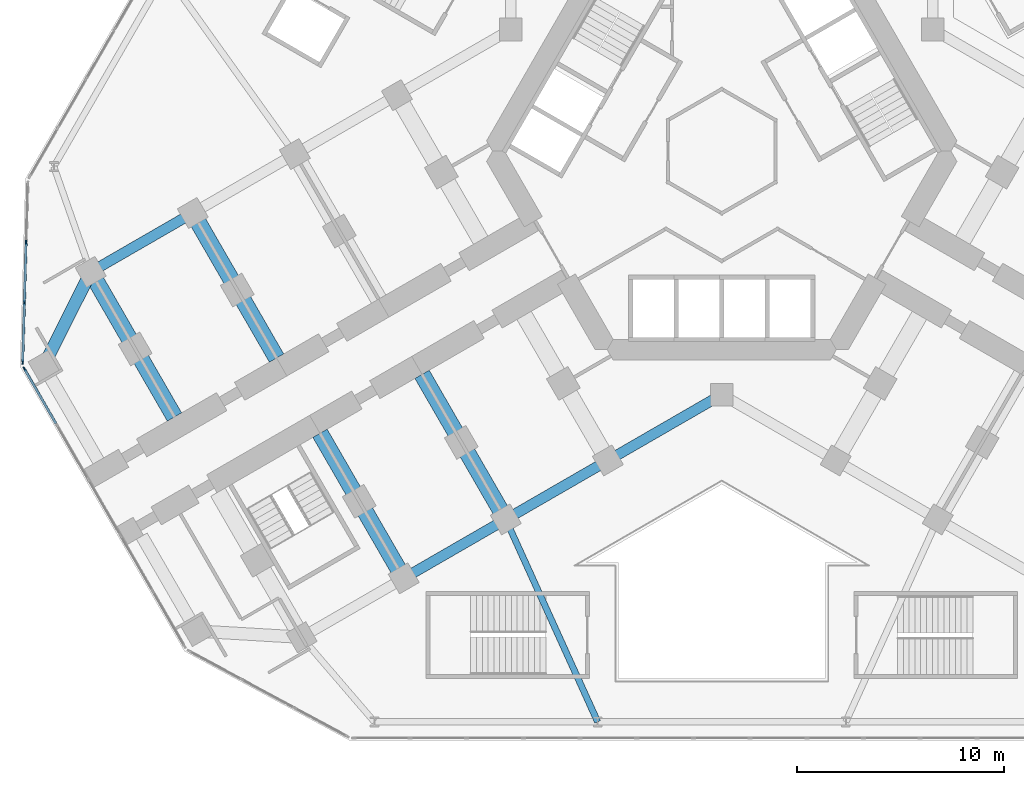
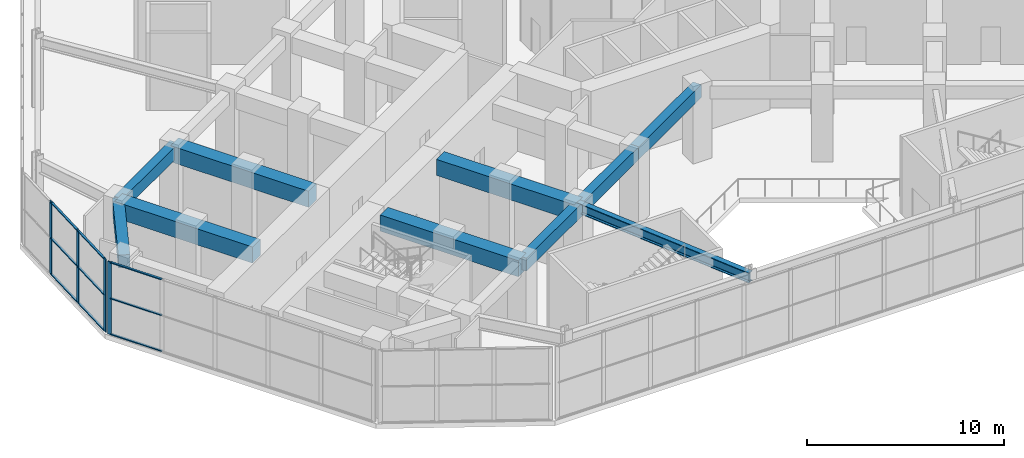
# One storey, part 3 of 22: 13 members, 10 beams, 2 elements without a shape of their own.
"""IFC4 building model written with IfcOpenShell, lengths in metres."""

import ifcopenshell
import ifcopenshell.guid

model = None  # the IFC model being written
_history = None  # IfcOwnerHistory: only IFC2X3 demands one
_inside = {}  # id of a spatial element -> (the spatial element, [elements in it])
_under = {}  # id of a project, library or spatial element -> (it, [spatial elements below it])
_declared = {}  # id of a project -> (the project, [libraries it declares])
_typed = {}  # id of a type object -> (the type object, [elements of that type])
_made_of = {}  # id of a material, layer set ... -> (it, [elements and type objects made of it])


def new_model(schema):
    """Start an empty IFC model of exactly this schema.

    Asked for "IFC4X3", IfcOpenShell would pick the latest addendum, in which some entities
    have other attributes; the version numbers below select the first issue.
    IFC2X3 requires an IfcOwnerHistory on every rooted entity: one is made here for all.
    """
    global model, _history
    if schema == "IFC4X3":
        model = ifcopenshell.file(schema_version=(4, 3, 0, 0))
    else:
        model = ifcopenshell.file(schema=schema)
    _inside.clear()
    _under.clear()
    _declared.clear()
    _typed.clear()
    _made_of.clear()
    _history = None
    if model.schema == "IFC2X3":
        org = make("IfcOrganization", Name="unknown")
        user = make(
            "IfcPersonAndOrganization",
            ThePerson=make("IfcPerson", FamilyName="unknown"),
            TheOrganization=org,
        )
        app = make(
            "IfcApplication",
            ApplicationDeveloper=org,
            Version="unknown",
            ApplicationFullName="unknown",
            ApplicationIdentifier="unknown",
        )
        _history = make(
            "IfcOwnerHistory",
            OwningUser=user,
            OwningApplication=app,
            ChangeAction="ADDED",
            CreationDate=0,
        )
    return model


def make(cls, **values):
    """One entity of the class cls with the attributes given. An attribute that is None is left unset."""
    return model.create_entity(
        cls, **{name: value for name, value in values.items() if value is not None}
    )


def rooted(cls, **values):
    """An entity with a GlobalId (a new one), such as an element, a storey or a relation."""
    return make(cls, GlobalId=ifcopenshell.guid.new(), OwnerHistory=_history, **values)


def si_unit(unit_type, name, prefix=None):
    """IfcSIUnit, for example si_unit("LENGTHUNIT", "METRE", prefix="MILLI")."""
    return make("IfcSIUnit", UnitType=unit_type, Prefix=prefix, Name=name)


def assignment(units):
    """IfcUnitAssignment: the units of a project."""
    return None if units is None else make("IfcUnitAssignment", Units=units)


def point(xyz):
    """IfcCartesianPoint."""
    return None if xyz is None else make("IfcCartesianPoint", Coordinates=xyz)


def direction(xyz):
    """IfcDirection."""
    return None if xyz is None else make("IfcDirection", DirectionRatios=xyz)


def frame(location, z_axis=None, x_axis=None):
    """IfcAxis2Placement3D, a coordinate frame: its origin and axes. An axis left out is left unset."""
    return make(
        "IfcAxis2Placement3D",
        Location=point(location),
        Axis=direction(z_axis),
        RefDirection=direction(x_axis),
    )


def frame_2d(location, x_axis=None):
    """IfcAxis2Placement2D, a coordinate frame in the plane: its origin and x axis."""
    return make(
        "IfcAxis2Placement2D", Location=point(location), RefDirection=direction(x_axis)
    )


def origin():
    """The frame at (0, 0, 0) with its axes left unset."""
    return frame((0.0, 0.0, 0.0))


def origin_2d():
    """The frame at (0, 0) in the plane with its x axis left unset."""
    return frame_2d((0.0, 0.0))


def place(relative_to, where):
    """IfcLocalPlacement: puts the frame where relative to a parent placement (None: the world)."""
    return make(
        "IfcLocalPlacement", PlacementRelTo=relative_to, RelativePlacement=where
    )


def context(
    kind, dimensions, precision=None, world=None, true_north=None, identifier=None
):
    """IfcGeometricRepresentationContext, for example the 3D "Model" context."""
    return make(
        "IfcGeometricRepresentationContext",
        ContextIdentifier=identifier,
        ContextType=kind,
        CoordinateSpaceDimension=dimensions,
        Precision=precision,
        WorldCoordinateSystem=world,
        TrueNorth=true_north,
    )


def subcontext(parent, identifier, kind, view, scale=None):
    """IfcGeometricRepresentationSubContext, for example "Body" below "Model"."""
    return make(
        "IfcGeometricRepresentationSubContext",
        ContextIdentifier=identifier,
        ContextType=kind,
        ParentContext=parent,
        TargetScale=scale,
        TargetView=view,
    )


def project(units=None, contexts=None):
    """IfcProject with its units and contexts."""
    return rooted(
        "IfcProject",
        Name="project",
        RepresentationContexts=contexts,
        UnitsInContext=assignment(units),
    )


def spatial(cls, under=None, at=None, **own):
    """A site, building, storey or space (cls), placed at a placement, below another one or the project."""
    s = rooted(cls, ObjectPlacement=at, **own)
    if under is not None:
        _under.setdefault(under.id(), (under, []))[1].append(s)
    return s


def profile(cls, at=None, kind="AREA", **sizes):
    """A parametric profile (cls). Its sizes go by their IFC names, for example OverallWidth=200.0."""
    return make(cls, ProfileType=kind, Position=at, **sizes)


def rectangle(**sizes):
    """IfcRectangleProfileDef."""
    return profile("IfcRectangleProfileDef", **sizes)


def i_section(**sizes):
    """IfcIShapeProfileDef."""
    return profile("IfcIShapeProfileDef", **sizes)


def extrude(swept, where, along, depth):
    """IfcExtrudedAreaSolid: the profile swept, set in the frame where, extruded along a direction by depth."""
    return make(
        "IfcExtrudedAreaSolid",
        SweptArea=swept,
        Position=where,
        ExtrudedDirection=direction(along),
        Depth=depth,
    )


def shape(context_of_items, identifier, shape_type, items):
    """IfcShapeRepresentation: the items that make up one representation, for example the "Body"."""
    return make(
        "IfcShapeRepresentation",
        ContextOfItems=context_of_items,
        RepresentationIdentifier=identifier,
        RepresentationType=shape_type,
        Items=items,
    )


def material(Name=None, Category=None):
    """IfcMaterial."""
    return make("IfcMaterial", Name=Name, Category=Category)


def material_profile(
    of_material, cross_section, Name=None, Category=None, Priority=None
):
    """IfcMaterialProfile: a cross section and its material."""
    return make(
        "IfcMaterialProfile",
        Name=Name,
        Material=of_material,
        Profile=cross_section,
        Priority=Priority,
        Category=Category,
    )


def profile_set(profiles, Name=None, composite=None):
    """IfcMaterialProfileSet."""
    return make(
        "IfcMaterialProfileSet",
        Name=Name,
        MaterialProfiles=profiles,
        CompositeProfile=composite,
    )


def made_of(thing, what):
    """Note that an element or type object is made of a material, layer set ...; save() writes the relation."""
    if what is not None:
        _made_of.setdefault(what.id(), (what, []))[1].append(thing)
    return thing


def type_object(cls, material=None, **own):
    """A type object (cls), such as IfcWallType, which elements share."""
    return made_of(rooted(cls, **own), material)


def element(
    cls,
    number,
    at=None,
    inside=None,
    cuts=None,
    type_object=None,
    material=None,
    context=None,
    identifier="Body",
    shape_type=None,
    held_by="IfcProductDefinitionShape",
    body=None,
    shapes=None,
    **own,
):
    """One element of the class cls, such as IfcWall. Its Tag is "e" and its number.

    at: its placement. inside: the storey or other place that contains it. cuts: it is an
    opening in that element (IfcRelVoidsElement). A single representation is given by context,
    identifier, shape_type and body (its items); several are given by shapes. held_by: the class
    of the entity that holds the representations. save() writes the other relations.
    """
    e = rooted(cls, Tag="e%d" % number, ObjectPlacement=at, **own)
    if body is not None:
        shapes = [shape(context, identifier, shape_type, body)]
    if shapes is not None:
        e.Representation = make(held_by, Representations=shapes)
    if inside is not None:
        _inside.setdefault(inside.id(), (inside, []))[1].append(e)
    if cuts is not None:
        rooted(
            "IfcRelVoidsElement", RelatingBuildingElement=cuts, RelatedOpeningElement=e
        )
    if type_object is not None:
        _typed.setdefault(type_object.id(), (type_object, []))[1].append(e)
    return made_of(e, material)


def aggregate(whole, parts):
    """IfcRelAggregates: a whole, such as a stair, and the parts it consists of."""
    return rooted("IfcRelAggregates", RelatingObject=whole, RelatedObjects=parts)


def save(model, path):
    """Write the relations noted so far, then the file.

    IfcRelAggregates (storeys below a building ...), IfcRelContainedInSpatialStructure (elements
    in a storey), IfcRelDefinesByType, IfcRelAssociatesMaterial and IfcRelDeclares: one each for
    every whole, place, type object, material and project.
    """
    for whole, parts in _under.values():
        aggregate(whole, parts)
    for where, things in _inside.values():
        rooted(
            "IfcRelContainedInSpatialStructure",
            RelatedElements=things,
            RelatingStructure=where,
        )
    for kind, things in _typed.values():
        rooted("IfcRelDefinesByType", RelatedObjects=things, RelatingType=kind)
    for what, things in _made_of.values():
        rooted("IfcRelAssociatesMaterial", RelatedObjects=things, RelatingMaterial=what)
    for by, libraries in _declared.values():
        rooted("IfcRelDeclares", RelatingContext=by, RelatedDefinitions=libraries)
    model.write(path)


model = new_model("IFC4")

# Units and contexts
model_context = context("Model", 3, precision=1e-05, world=origin(), true_north=direction((0.0, 1.0)))
body_context = subcontext(model_context, "Body", "Model", "MODEL_VIEW")
ifc_project = project(units=[si_unit("LENGTHUNIT", "METRE"), si_unit("AREAUNIT", "SQUARE_METRE"), si_unit("VOLUMEUNIT", "CUBIC_METRE"), si_unit("PLANEANGLEUNIT", "RADIAN"), si_unit("MASSUNIT", "GRAM", prefix="KILO")], contexts=[model_context])

# Site, building, storey
site_placement = place(None, origin())
site = spatial("IfcSite", under=ifc_project, at=site_placement, CompositionType="ELEMENT")
building_placement = place(site_placement, origin())
building = spatial("IfcBuilding", under=site, at=building_placement, Name="Kosmar Iwan School Tower", CompositionType="ELEMENT")
storey_placement = place(building_placement, frame((0.0, 0.0, 10.800048828125)))
storey = spatial("IfcBuildingStorey", under=building, at=storey_placement, Name="L02", CompositionType="ELEMENT", Elevation=10.800048828125)

# Beam
ifc_material_1 = material(Name="Steel S355", Category="steel")
ifc_material_profile_1 = material_profile(ifc_material_1, i_section(OverallWidth=0.304931640625, OverallDepth=0.6201171875, WebThickness=0.02099609375, FlangeThickness=0.0400390625, FilletRadius=0.027099609375, at=origin_2d()), Name="HE 600 M")
ifc_profile_set_1 = profile_set([ifc_material_profile_1], Name="Steel S355")
beam_type_1 = type_object("IfcBeamType", Name="Infill girder HE 600 M", PredefinedType="BEAM", material=ifc_profile_set_1)
beam_1_placement = place(storey_placement, frame((-6.0, -27.60009765625, 4.18994140625), z_axis=(-0.413361578077, 0.910566969404, 0.0), x_axis=(-0.910566969404, -0.413361578077, 0.0)))
element("IfcBeam", 1, at=beam_1_placement, inside=storey, type_object=beam_type_1, Name="Infill girder BC3", PredefinedType="BEAM", context=body_context, shape_type="SweptSolid", body=[
    extrude(i_section(OverallWidth=0.304931640625, OverallDepth=0.6201171875, WebThickness=0.02099609375, FlangeThickness=0.0400390625, FilletRadius=0.027099609375, at=origin_2d()), origin(), (0.0, 0.0, 1.0), 10.75341796875),
])

# Curtain wall, members
ifc_material_2 = material(Name="Dark glass in black aluminium frame", Category="aluminium")
curtain_wall_type_1 = type_object("IfcCurtainWallType", Name="Podium curtain wall", PredefinedType="USERDEFINED", material=ifc_material_2)
curtain_wall_1_placement = place(storey_placement, origin())
curtain_wall_1 = element("IfcCurtainWall", 2, at=curtain_wall_1_placement, inside=storey, type_object=curtain_wall_type_1, Name="Curtain wall L02-F09", ObjectType="STICK CURTAIN WALL", PredefinedType="USERDEFINED")
ifc_material_3 = material(Name="Black anodised aluminium", Category="aluminium")
ifc_material_profile_2 = material_profile(ifc_material_3, rectangle(XDim=0.06494140625, YDim=0.219970703125, at=origin_2d()), Name="MULLION 65x220")
ifc_profile_set_2 = profile_set([ifc_material_profile_2], Name="Black anodised aluminium")
member_type_1 = type_object("IfcMemberType", Name="Podium mullion 65x220", PredefinedType="MULLION", material=ifc_profile_set_2)
member_1_placement = place(storey_placement, frame((-33.644287109375, -4.4267578125, 0.0), z_axis=(0.0, 0.0, 1.0), x_axis=(0.999597032017, -0.028386151255, 0.0)))
member_1 = element("IfcMember", 3, at=member_1_placement, type_object=member_type_1, Name="CW3 mullion 2", PredefinedType="MULLION", context=body_context, shape_type="SweptSolid", body=[
    extrude(rectangle(XDim=0.06494140625, YDim=0.219970703125, at=origin_2d()), origin(), (0.0, 0.0, 1.0), 4.5),
])
member_2_placement = place(storey_placement, frame((-33.726806640625, -7.330078125, 0.0), z_axis=(0.0, 0.0, 1.0), x_axis=(0.999597032017, -0.028386151255, 0.0)))
member_2 = element("IfcMember", 4, at=member_2_placement, type_object=member_type_1, Name="CW3 mullion 3", PredefinedType="MULLION", context=body_context, shape_type="SweptSolid", body=[
    extrude(rectangle(XDim=0.06494140625, YDim=0.219970703125, at=origin_2d()), origin(), (0.0, 0.0, 1.0), 4.5),
])
member_3_placement = place(storey_placement, frame((-33.808349609375, -10.200927734375, 0.0), z_axis=(0.0, 0.0, 1.0), x_axis=(0.999597032017, -0.028386151255, 0.0)))
member_3 = element("IfcMember", 5, at=member_3_placement, type_object=member_type_1, Name="CW3 mullion 4", PredefinedType="MULLION", context=body_context, shape_type="SweptSolid", body=[
    extrude(rectangle(XDim=0.06494140625, YDim=0.219970703125, at=origin_2d()), origin(), (0.0, 0.0, 1.0), 4.5),
])

# Curtain wall, member
ifc_material_4 = material(Name="Dark glass in black aluminium frame", Category="aluminium")
curtain_wall_type_2 = type_object("IfcCurtainWallType", Name="Tower curtain wall dark glass", PredefinedType="USERDEFINED", material=ifc_material_4)
curtain_wall_2_placement = place(storey_placement, origin())
curtain_wall_2 = element("IfcCurtainWall", 6, at=curtain_wall_2_placement, inside=storey, type_object=curtain_wall_type_2, Name="Curtain wall L02-F10", ObjectType="UNITISED CURTAIN WALL", PredefinedType="USERDEFINED")
member_4_placement = place(storey_placement, frame((-33.72216796875, -10.541259765625, 0.0), z_axis=(0.0, 0.0, 1.0), x_axis=(0.866025395669, 0.500000014057, 0.0)))
member_4 = element("IfcMember", 7, at=member_4_placement, type_object=member_type_1, Name="CW1 mullion 1", PredefinedType="MULLION", context=body_context, shape_type="SweptSolid", body=[
    extrude(rectangle(XDim=0.06494140625, YDim=0.219970703125, at=origin_2d()), origin(), (0.0, 0.0, 1.0), 4.5),
])

# Beams
ifc_material_5 = material(Name="Concrete C50/60", Category="concrete")
ifc_material_profile_3 = material_profile(ifc_material_5, rectangle(XDim=0.5, YDim=0.800048828125, at=origin_2d()), Name="RC 500x800")
ifc_profile_set_3 = profile_set([ifc_material_profile_3], Name="Concrete C50/60")
beam_type_2 = type_object("IfcBeamType", Name="RC edge beam 500x800", PredefinedType="BEAM", material=ifc_profile_set_3)
beam_2_placement = place(storey_placement, frame((0.0, -11.77783203125, 4.099853515625), z_axis=(-0.866014293216, -0.500019243575, 0.0), x_axis=(0.500019243575, -0.866014293216, 0.0)))
element("IfcBeam", 8, at=beam_2_placement, inside=storey, type_object=beam_type_2, Name="Edge beam BL1", PredefinedType="BEAM", context=body_context, shape_type="SweptSolid", body=[
    extrude(rectangle(XDim=0.5, YDim=0.800048828125, at=origin_2d()), origin(), (0.0, 0.0, 1.0), 6.361083984375),
])
beam_3_placement = place(storey_placement, frame((-5.5087890625, -14.95849609375, 4.099853515625), z_axis=(-0.866033658841, -0.49998570155, 0.0), x_axis=(0.49998570155, -0.866033658841, 0.0)))
element("IfcBeam", 9, at=beam_3_placement, inside=storey, type_object=beam_type_2, Name="Edge beam BL2", PredefinedType="BEAM", context=body_context, shape_type="SweptSolid", body=[
    extrude(rectangle(XDim=0.5, YDim=0.800048828125, at=origin_2d()), origin(), (0.0, 0.0, 1.0), 5.699951171875),
])
beam_4_placement = place(storey_placement, frame((-10.445068359375, -17.808349609375, 4.099853515625), z_axis=(-0.866025820012, -0.499999279071, 0.0), x_axis=(0.499999279071, -0.866025820012, 0.0)))
element("IfcBeam", 10, at=beam_4_placement, inside=storey, type_object=beam_type_2, Name="Edge beam BL3", PredefinedType="BEAM", context=body_context, shape_type="SweptSolid", body=[
    extrude(rectangle(XDim=0.5, YDim=0.800048828125, at=origin_2d()), origin(), (0.0, 0.0, 1.0), 5.7001953125),
])
beam_5_placement = place(storey_placement, frame((-25.58154296875, -2.991455078125, 4.099853515625), z_axis=(-0.866015111908, -0.50001782563, 0.0), x_axis=(0.50001782563, -0.866015111908, 0.0)))
element("IfcBeam", 11, at=beam_5_placement, inside=storey, type_object=beam_type_2, Name="Edge beam BR4", PredefinedType="BEAM", context=body_context, shape_type="SweptSolid", body=[
    extrude(rectangle(XDim=0.5, YDim=0.800048828125, at=origin_2d()), origin(), (0.0, 0.0, 1.0), 5.699951171875),
])
ifc_material_6 = material(Name="Concrete C50/60", Category="concrete")
ifc_material_profile_4 = material_profile(ifc_material_6, rectangle(XDim=0.60009765625, YDim=0.800048828125, at=origin_2d()), Name="RC 600x800")
ifc_profile_set_4 = profile_set([ifc_material_profile_4], Name="Concrete C50/60")
beam_type_3 = type_object("IfcBeamType", Name="RC tip beam 600x800", PredefinedType="BEAM", material=ifc_profile_set_4)
beam_6_placement = place(storey_placement, frame((-30.517822265625, -5.841552734375, 4.099853515625), z_axis=(-0.44809604203, -0.893985423325, 0.0), x_axis=(0.893985423325, -0.44809604203, 0.0)))
element("IfcBeam", 12, at=beam_6_placement, inside=storey, type_object=beam_type_3, Name="Tip beam BR", PredefinedType="BEAM", context=body_context, shape_type="SweptSolid", body=[
    extrude(rectangle(XDim=0.60009765625, YDim=0.800048828125, at=origin_2d()), origin(), (0.0, 0.0, 1.0), 5.08935546875),
])
ifc_material_7 = material(Name="Concrete C50/60", Category="concrete")
ifc_material_profile_5 = material_profile(ifc_material_7, rectangle(XDim=0.800048828125, YDim=1.0, at=origin_2d()), Name="RC 800x1000")
ifc_profile_set_5 = profile_set([ifc_material_profile_5], Name="Concrete C50/60")
beam_type_4 = type_object("IfcBeamType", Name="RC transverse beam 800x1000", PredefinedType="BEAM", material=ifc_profile_set_5)
beam_7_placement = place(storey_placement, frame((-10.445068359375, -17.808349609375, 4.0), z_axis=(-0.500012932018, 0.866017937352, 0.0), x_axis=(-0.866017937352, -0.500012932018, 0.0)))
element("IfcBeam", 13, at=beam_7_placement, inside=storey, type_object=beam_type_4, Name="Transverse beam BL2", PredefinedType="BEAM", context=body_context, shape_type="SweptSolid", body=[
    extrude(rectangle(XDim=0.800048828125, YDim=1.0, at=origin_2d()), origin(), (0.0, 0.0, 1.0), 8.099853515625),
])
for number, where, z_axis, x_axis, name in (
    (14, (-15.381591796875, -20.658447265625, 4.0), (-0.499977274689, 0.866038523851, 0.0), (-0.866038523851, -0.499977274689, 0.0), "Transverse beam BL3"),
    (15, (-25.58154296875, -2.991455078125, 4.0), (0.499999880539, -0.866025472755, 0.0), (0.866025472755, 0.499999880539, 0.0), "Transverse beam BR3"),
    (16, (-30.517822265625, -5.841552734375, 4.0), (0.499999880539, -0.866025472755, 0.0), (0.866025472755, 0.499999880539, 0.0), "Transverse beam BR4"),
):
    element("IfcBeam", number, at=place(storey_placement, frame(where, z_axis=z_axis, x_axis=x_axis)), inside=storey, type_object=beam_type_4, Name=name, PredefinedType="BEAM", context=body_context, shape_type="SweptSolid", body=[
        extrude(rectangle(XDim=0.800048828125, YDim=1.0, at=origin_2d()), origin(), (0.0, 0.0, 1.0), 8.10009765625),
    ])

# Member
ifc_material_8 = material(Name="Black anodised aluminium", Category="aluminium")
ifc_material_profile_6 = material_profile(ifc_material_8, rectangle(XDim=0.1201171875, YDim=0.06005859375, at=origin_2d()), Name="TRANSOM 60x120")
ifc_profile_set_6 = profile_set([ifc_material_profile_6], Name="Black anodised aluminium")
member_type_2 = type_object("IfcMemberType", Name="Transom 60x120", PredefinedType="USERDEFINED", material=ifc_profile_set_6)
member_5_placement = place(storey_placement, frame((-33.645263671875, -4.459228515625, 0.030029296875), z_axis=(-0.028373227391, -0.99959739894, 0.0), x_axis=(0.99959739894, -0.028373227391, 0.0)))
member_5 = element("IfcMember", 17, at=member_5_placement, type_object=member_type_2, Name="CW3 transom 2.1", ObjectType="TRANSOM", PredefinedType="USERDEFINED", context=body_context, shape_type="SweptSolid", body=[
    extrude(rectangle(XDim=0.1201171875, YDim=0.06005859375, at=origin_2d()), origin(), (0.0, 0.0, 1.0), 2.839599609375),
])

member_6_placement = place(storey_placement, frame((-33.645263671875, -4.459228515625, 2.25), z_axis=(-0.028373227391, -0.99959739894, 0.0), x_axis=(0.99959739894, -0.028373227391, 0.0)))
member_6 = element("IfcMember", 18, at=member_6_placement, type_object=member_type_2, Name="CW3 transom 2.2", ObjectType="TRANSOM", PredefinedType="USERDEFINED", context=body_context, shape_type="SweptSolid", body=[
    extrude(rectangle(XDim=0.1201171875, YDim=0.06005859375, at=origin_2d()), origin(), (0.0, 0.0, 1.0), 2.839599609375),
])

member_7_placement = place(storey_placement, frame((-33.645263671875, -4.459228515625, 4.469970703125), z_axis=(-0.028373227391, -0.99959739894, 0.0), x_axis=(0.99959739894, -0.028373227391, 0.0)))
member_7 = element("IfcMember", 19, at=member_7_placement, type_object=member_type_2, Name="CW3 transom 2.3", ObjectType="TRANSOM", PredefinedType="USERDEFINED", context=body_context, shape_type="SweptSolid", body=[
    extrude(rectangle(XDim=0.1201171875, YDim=0.06005859375, at=origin_2d()), origin(), (0.0, 0.0, 1.0), 2.839599609375),
])

member_8_placement = place(storey_placement, frame((-33.727783203125, -7.362548828125, 0.030029296875), z_axis=(-0.028353687706, -0.999597953376, 0.0), x_axis=(0.999597953376, -0.028353687706, 0.0)))
member_8 = element("IfcMember", 20, at=member_8_placement, type_object=member_type_2, Name="CW3 transom 3.1", ObjectType="TRANSOM", PredefinedType="USERDEFINED", context=body_context, shape_type="SweptSolid", body=[
    extrude(rectangle(XDim=0.1201171875, YDim=0.06005859375, at=origin_2d()), origin(), (0.0, 0.0, 1.0), 2.80712890625),
])

member_9_placement = place(storey_placement, frame((-33.727783203125, -7.362548828125, 2.25), z_axis=(-0.028353687706, -0.999597953376, 0.0), x_axis=(0.999597953376, -0.028353687706, 0.0)))
member_9 = element("IfcMember", 21, at=member_9_placement, type_object=member_type_2, Name="CW3 transom 3.2", ObjectType="TRANSOM", PredefinedType="USERDEFINED", context=body_context, shape_type="SweptSolid", body=[
    extrude(rectangle(XDim=0.1201171875, YDim=0.06005859375, at=origin_2d()), origin(), (0.0, 0.0, 1.0), 2.80712890625),
])

member_10_placement = place(storey_placement, frame((-33.727783203125, -7.362548828125, 4.469970703125), z_axis=(-0.028353687706, -0.999597953376, 0.0), x_axis=(0.999597953376, -0.028353687706, 0.0)))
member_10 = element("IfcMember", 22, at=member_10_placement, type_object=member_type_2, Name="CW3 transom 3.3", ObjectType="TRANSOM", PredefinedType="USERDEFINED", context=body_context, shape_type="SweptSolid", body=[
    extrude(rectangle(XDim=0.1201171875, YDim=0.06005859375, at=origin_2d()), origin(), (0.0, 0.0, 1.0), 2.80712890625),
])

aggregate(curtain_wall_1, [member_1, member_2, member_3, member_5, member_6, member_7, member_8, member_9, member_10])

member_11_placement = place(storey_placement, frame((-33.7060546875, -10.5693359375, 0.030029296875), z_axis=(0.499970659234, -0.866042343021, 0.0), x_axis=(0.866042343021, 0.499970659234, 0.0)))
member_11 = element("IfcMember", 23, at=member_11_placement, type_object=member_type_2, Name="CW1 transom 1.1", ObjectType="TRANSOM", PredefinedType="USERDEFINED", context=body_context, shape_type="SweptSolid", body=[
    extrude(rectangle(XDim=0.1201171875, YDim=0.06005859375, at=origin_2d()), origin(), (0.0, 0.0, 1.0), 3.008544921875),
])

member_12_placement = place(storey_placement, frame((-33.7060546875, -10.5693359375, 2.25), z_axis=(0.499970659234, -0.866042343021, 0.0), x_axis=(0.866042343021, 0.499970659234, 0.0)))
member_12 = element("IfcMember", 24, at=member_12_placement, type_object=member_type_2, Name="CW1 transom 1.2", ObjectType="TRANSOM", PredefinedType="USERDEFINED", context=body_context, shape_type="SweptSolid", body=[
    extrude(rectangle(XDim=0.1201171875, YDim=0.06005859375, at=origin_2d()), origin(), (0.0, 0.0, 1.0), 3.008544921875),
])

member_13_placement = place(storey_placement, frame((-33.7060546875, -10.5693359375, 4.469970703125), z_axis=(0.499970659234, -0.866042343021, 0.0), x_axis=(0.866042343021, 0.499970659234, 0.0)))
member_13 = element("IfcMember", 25, at=member_13_placement, type_object=member_type_2, Name="CW1 transom 1.3", ObjectType="TRANSOM", PredefinedType="USERDEFINED", context=body_context, shape_type="SweptSolid", body=[
    extrude(rectangle(XDim=0.1201171875, YDim=0.06005859375, at=origin_2d()), origin(), (0.0, 0.0, 1.0), 3.008544921875),
])

aggregate(curtain_wall_2, [member_4, member_11, member_12, member_13])

save(model, "model.ifc")
